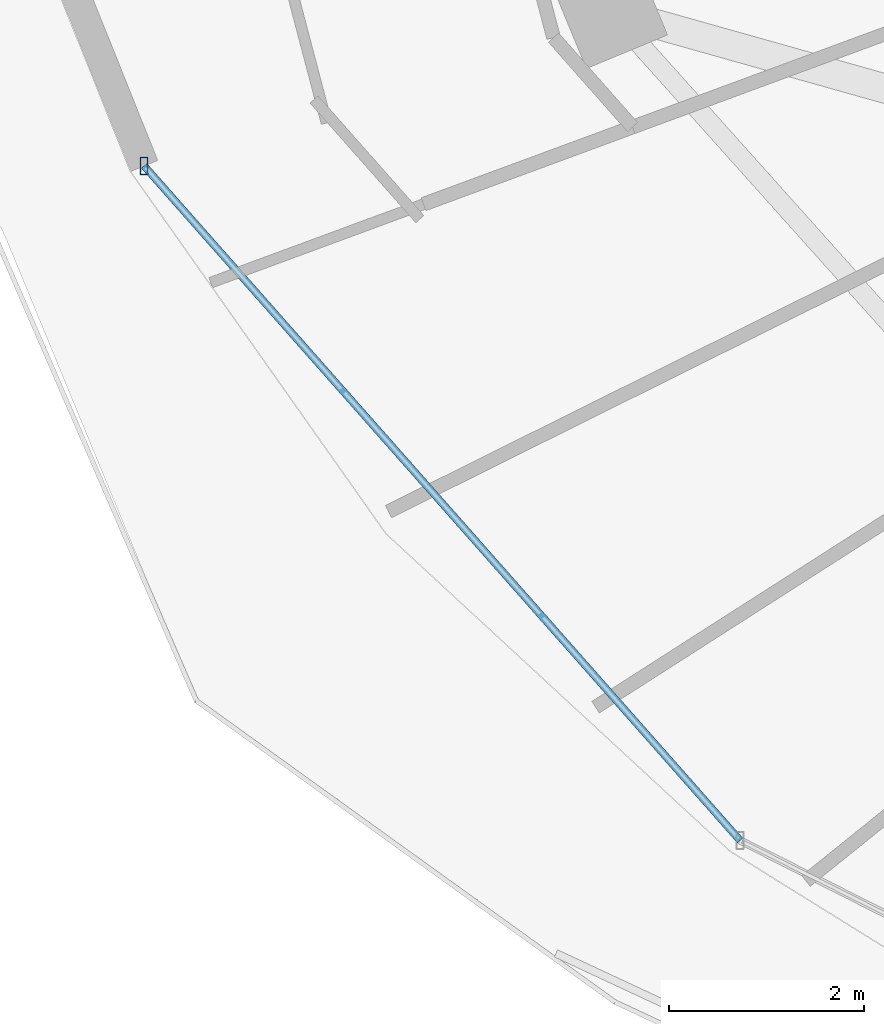
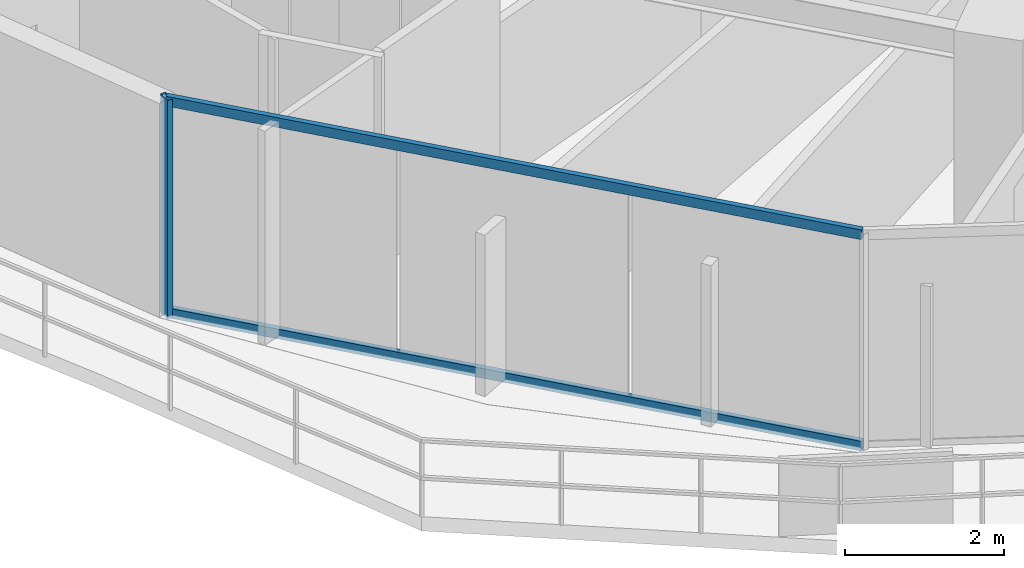
# One storey, part 3 of 32: 3 members, 1 element without a shape of its own.
"""IFC4 building model written with IfcOpenShell, lengths in metres."""

from ifc_helpers import new_model, si_unit, direction, frame, origin, origin_2d, place, context, subcontext, project, spatial, hollow_rectangle, extrude, material, material_profile, profile_set, type_object, element, aggregate, save


model = new_model("IFC4")

# Units and contexts
model_context = context("Model", 3, precision=1e-05, world=origin(), true_north=direction((0.0, 1.0)))
body_context = subcontext(model_context, "Body", "Model", "MODEL_VIEW")
ifc_project = project(units=[si_unit("LENGTHUNIT", "METRE"), si_unit("AREAUNIT", "SQUARE_METRE"), si_unit("VOLUMEUNIT", "CUBIC_METRE"), si_unit("PLANEANGLEUNIT", "RADIAN"), si_unit("MASSUNIT", "GRAM", prefix="KILO")], contexts=[model_context])

# Site, building, storey
site_placement = place(None, origin())
site = spatial("IfcSite", under=ifc_project, at=site_placement, CompositionType="ELEMENT")
building_placement = place(site_placement, origin())
building = spatial("IfcBuilding", under=site, at=building_placement, Name="Vorneva Point Tower", CompositionType="ELEMENT")
storey_placement = place(building_placement, frame((0.0, 0.0, 207.199951171875)))
storey = spatial("IfcBuildingStorey", under=building, at=storey_placement, Name="L56", CompositionType="ELEMENT", Elevation=207.199951171875)

# Curtain wall, members
ifc_material = material(Name="Pale anodised aluminium", Category="aluminium")
curtain_wall_type = type_object("IfcCurtainWallType", Name="CW-RES-SYS", PredefinedType="NOTDEFINED", material=ifc_material)
curtain_wall_placement = place(storey_placement, origin())
curtain_wall = element("IfcCurtainWall", 1, at=curtain_wall_placement, inside=storey, type_object=curtain_wall_type, Name="L56 Unitised Curtain Wall CW-L56-R03", PredefinedType="NOTDEFINED")
ifc_material_profile_1 = material_profile(ifc_material, hollow_rectangle(XDim=0.074951171875, YDim=0.179931640625, WallThickness=0.00390625, at=origin_2d()), Name="AL-MUL 180x75x4")
ifc_profile_set_1 = profile_set([ifc_material_profile_1], Name="Pale anodised aluminium")
member_type_1 = type_object("IfcMemberType", Name="CW-MUL-180", PredefinedType="MULLION", material=ifc_profile_set_1)
member_1_placement = place(storey_placement, frame((11.9189453125, 17.82958984375, -0.0400390625), z_axis=(0.0, 0.0, 1.0), x_axis=(1.0, 0.0, 0.0)))
member_1 = element("IfcMember", 2, at=member_1_placement, type_object=member_type_1, Name="CW-L56-R03 Mullion 01", PredefinedType="MULLION", context=body_context, shape_type="SweptSolid", body=[
    extrude(hollow_rectangle(XDim=0.074951171875, YDim=0.179931640625, WallThickness=0.00390625, at=origin_2d()), origin(), (0.0, 0.0, 1.0), 3.360107421875),
])
ifc_material_profile_2 = material_profile(ifc_material, hollow_rectangle(XDim=0.074951171875, YDim=0.14990234375, WallThickness=0.00390625, at=origin_2d()), Name="AL-TRN 150x75x4")
ifc_profile_set_2 = profile_set([ifc_material_profile_2], Name="Pale anodised aluminium")
member_type_2 = type_object("IfcMemberType", Name="CW-TRN-150", PredefinedType="USERDEFINED", material=ifc_profile_set_2)
member_2_placement = place(storey_placement, frame((11.9189453125, 17.82958984375, 0.02001953125), z_axis=(0.662106383869, -0.749409858782, 0.0), x_axis=(0.749409858782, 0.662106383869, 0.0)))
member_2 = element("IfcMember", 3, at=member_2_placement, type_object=member_type_2, Name="CW-L56-R03 Transom 01.1", ObjectType="TRANSOM", PredefinedType="USERDEFINED", context=body_context, shape_type="SweptSolid", body=[
    extrude(hollow_rectangle(XDim=0.074951171875, YDim=0.14990234375, WallThickness=0.00390625, at=origin_2d()), origin(), (0.0, 0.0, 1.0), 9.2421875),
])
member_3_placement = place(storey_placement, frame((11.9189453125, 17.82958984375, 3.27001953125), z_axis=(0.662106383869, -0.749409858782, 0.0), x_axis=(0.749409858782, 0.662106383869, 0.0)))
member_3 = element("IfcMember", 4, at=member_3_placement, type_object=member_type_2, Name="CW-L56-R03 Transom 01.2", ObjectType="TRANSOM", PredefinedType="USERDEFINED", context=body_context, shape_type="SweptSolid", body=[
    extrude(hollow_rectangle(XDim=0.074951171875, YDim=0.14990234375, WallThickness=0.00390625, at=origin_2d()), origin(), (0.0, 0.0, 1.0), 9.2421875),
])
aggregate(curtain_wall, [member_1, member_2, member_3])

save(model, "model.ifc")
